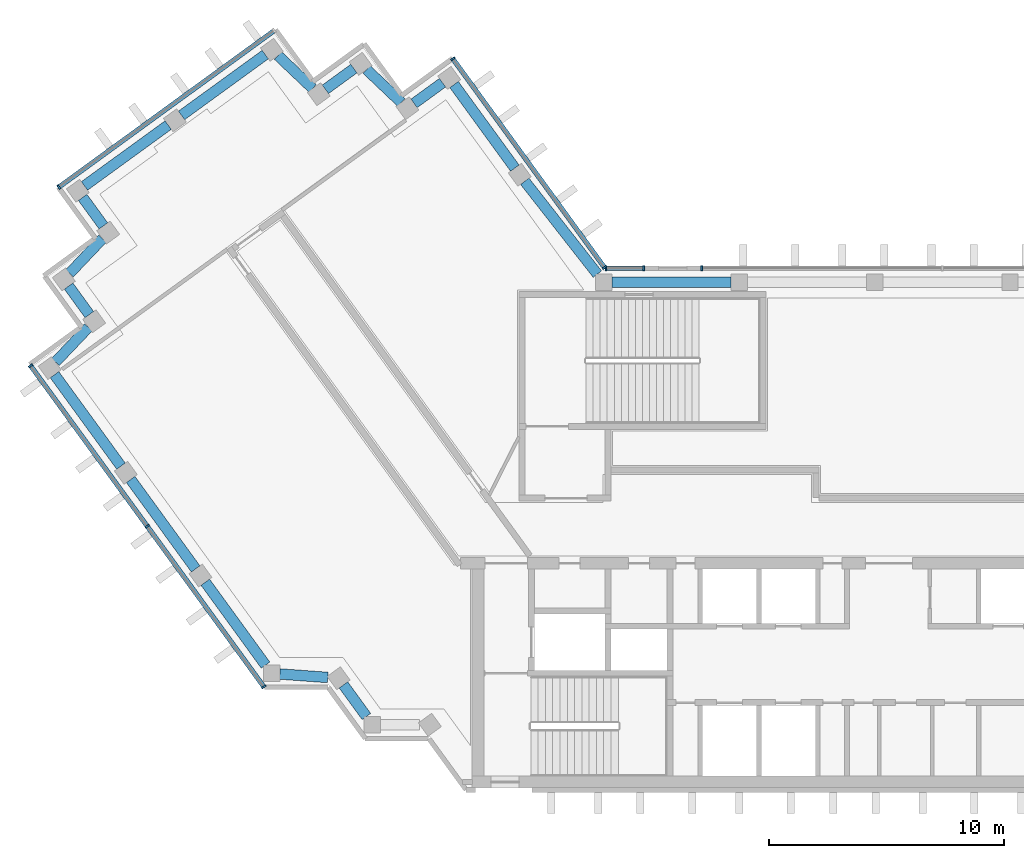
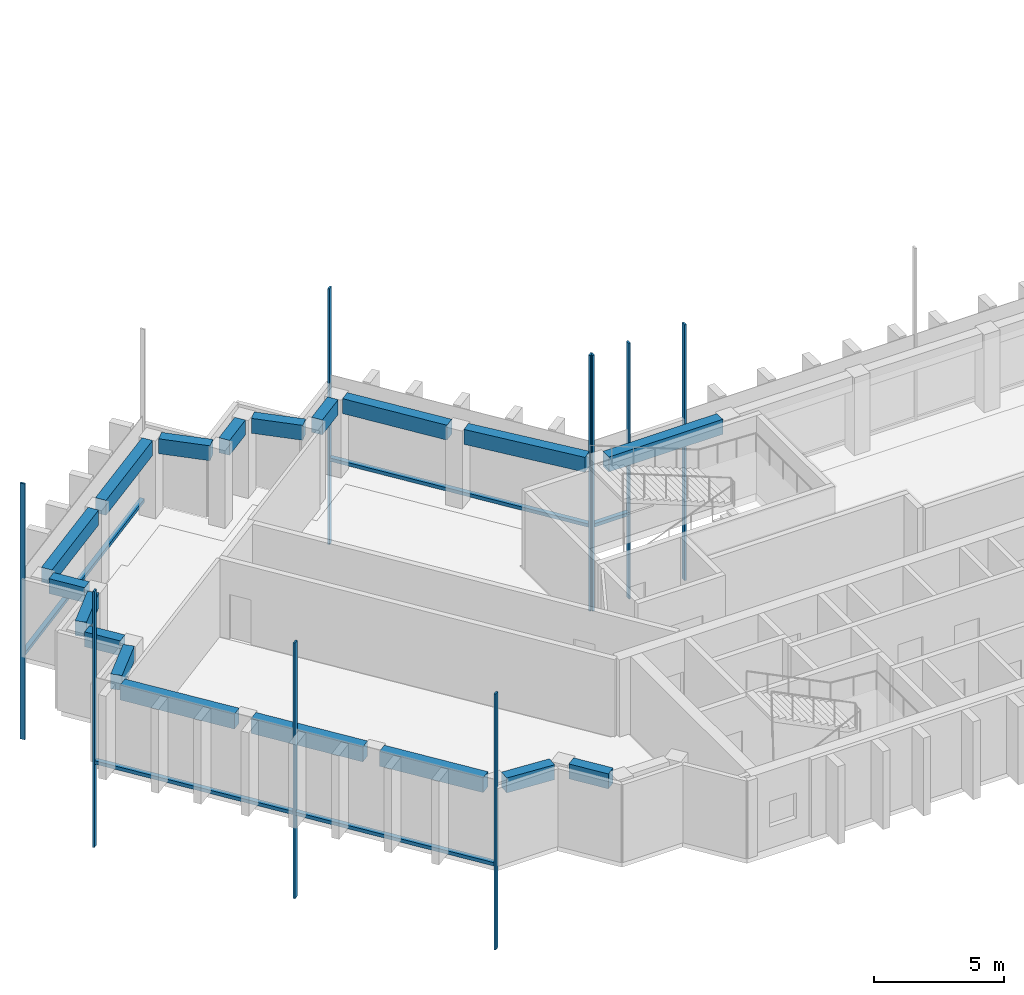
# One storey, part 2 of 14: 18 beams, 14 members, 5 elements without a shape of their own.
"""IFC4 building model written with IfcOpenShell, lengths in metres."""

from ifc_helpers import new_model, si_unit, direction, frame, origin, origin_2d, place, context, subcontext, project, spatial, rectangle, extrude, material, material_profile, profile_set, type_object, element, aggregate, save


model = new_model("IFC4")

# Units and contexts
model_context = context("Model", 3, precision=1e-05, world=origin(), true_north=direction((0.0, 1.0)))
body_context = subcontext(model_context, "Body", "Model", "MODEL_VIEW")
ifc_project = project(units=[si_unit("LENGTHUNIT", "METRE"), si_unit("AREAUNIT", "SQUARE_METRE"), si_unit("VOLUMEUNIT", "CUBIC_METRE"), si_unit("PLANEANGLEUNIT", "RADIAN"), si_unit("MASSUNIT", "GRAM", prefix="KILO")], contexts=[model_context])

# Site, building, storey
site_placement = place(None, origin())
site = spatial("IfcSite", under=ifc_project, at=site_placement, CompositionType="ELEMENT")
building_placement = place(site_placement, origin())
building = spatial("IfcBuilding", under=site, at=building_placement, Name="Quipu Civic Tower", CompositionType="ELEMENT")
storey_placement = place(building_placement, frame((0.0, 0.0, 311.0)))
storey = spatial("IfcBuildingStorey", under=building, at=storey_placement, Name="L72", CompositionType="ELEMENT", Elevation=311.0)

# Curtain wall, member
ifc_material_1 = material(Name="Insulated glass unit", Category="glass")
curtain_wall_type = type_object("IfcCurtainWallType", Name="Office curtain wall CW1", PredefinedType="NOTDEFINED", material=ifc_material_1)
curtain_wall_1_placement = place(storey_placement, origin())
curtain_wall_1 = element("IfcCurtainWall", 1, at=curtain_wall_1_placement, inside=storey, type_object=curtain_wall_type, Name="Office curtain wall CW1 L71 run 14", PredefinedType="NOTDEFINED")
ifc_material_2 = material(Name="Anodised aluminium", Category="aluminium")
ifc_material_profile_1 = material_profile(ifc_material_2, rectangle(XDim=0.199951171875, YDim=0.080078125, at=origin_2d()), Name="RECT 200x80")
ifc_profile_set_1 = profile_set([ifc_material_profile_1], Name="Anodised aluminium")
member_type_1 = type_object("IfcMemberType", Name="Mullion CW1", PredefinedType="MULLION", material=ifc_profile_set_1)
member_1_placement = place(storey_placement, frame((-10.223388671875, 11.10009765625, -3.919921875), z_axis=(0.0, 0.0, 1.0), x_axis=(0.0, -1.0, 0.0)))
member_1 = element("IfcMember", 2, at=member_1_placement, type_object=member_type_1, Name="CW1 mullion 3", PredefinedType="MULLION", context=body_context, shape_type="SweptSolid", body=[
    extrude(rectangle(XDim=0.199951171875, YDim=0.080078125, at=origin_2d()), origin(), (0.0, 0.0, 1.0), 12.0),
])
aggregate(curtain_wall_1, [member_1])

# Curtain wall, members
curtain_wall_2_placement = place(storey_placement, origin())
curtain_wall_2 = element("IfcCurtainWall", 3, at=curtain_wall_2_placement, inside=storey, type_object=curtain_wall_type, Name="Office curtain wall CW1 L71 run 16", PredefinedType="NOTDEFINED")
member_2_placement = place(storey_placement, frame((-12.695068359375, 11.10009765625, -3.919921875), z_axis=(0.0, 0.0, 1.0), x_axis=(0.0, -1.0, 0.0)))
member_2 = element("IfcMember", 4, at=member_2_placement, type_object=member_type_1, Name="CW1 mullion 1", PredefinedType="MULLION", context=body_context, shape_type="SweptSolid", body=[
    extrude(rectangle(XDim=0.199951171875, YDim=0.080078125, at=origin_2d()), origin(), (0.0, 0.0, 1.0), 12.0),
])
member_3_placement = place(storey_placement, frame((-14.30419921875, 11.10009765625, -3.919921875), z_axis=(0.0, 0.0, 1.0), x_axis=(0.0, -1.0, 0.0)))
member_3 = element("IfcMember", 5, at=member_3_placement, type_object=member_type_1, Name="CW1 mullion 2", PredefinedType="MULLION", context=body_context, shape_type="SweptSolid", body=[
    extrude(rectangle(XDim=0.199951171875, YDim=0.080078125, at=origin_2d()), origin(), (0.0, 0.0, 1.0), 12.0),
])

curtain_wall_3_placement = place(storey_placement, origin())
curtain_wall_3 = element("IfcCurtainWall", 6, at=curtain_wall_3_placement, inside=storey, type_object=curtain_wall_type, Name="Office curtain wall CW1 L71 run 17", PredefinedType="NOTDEFINED")
member_4_placement = place(storey_placement, frame((-14.36767578125, 11.13232421875, -3.919921875), z_axis=(0.0, 0.0, 1.0), x_axis=(-0.809015163947, -0.587787771652, 0.0)))
member_4 = element("IfcMember", 7, at=member_4_placement, type_object=member_type_1, Name="CW1 mullion 1", PredefinedType="MULLION", context=body_context, shape_type="SweptSolid", body=[
    extrude(rectangle(XDim=0.199951171875, YDim=0.080078125, at=origin_2d()), origin(), (0.0, 0.0, 1.0), 12.0),
])
member_5_placement = place(storey_placement, frame((-20.8125, 20.002685546875, -3.919921875), z_axis=(0.0, 0.0, 1.0), x_axis=(-0.809015163947, -0.587787771652, 0.0)))
member_5 = element("IfcMember", 8, at=member_5_placement, type_object=member_type_1, Name="CW1 mullion 2", PredefinedType="MULLION", context=body_context, shape_type="SweptSolid", body=[
    extrude(rectangle(XDim=0.199951171875, YDim=0.080078125, at=origin_2d()), origin(), (0.0, 0.0, 1.0), 12.0),
])

# Curtain wall, member
curtain_wall_4_placement = place(storey_placement, origin())
curtain_wall_4 = element("IfcCurtainWall", 9, at=curtain_wall_4_placement, inside=storey, type_object=curtain_wall_type, Name="Office curtain wall CW1 L71 run 22", PredefinedType="NOTDEFINED")
member_6_placement = place(storey_placement, frame((-37.569091796875, 14.552490234375, -3.919921875), z_axis=(0.0, 0.0, 1.0), x_axis=(0.587787753918, -0.809015176832, 0.0)))
member_6 = element("IfcMember", 10, at=member_6_placement, type_object=member_type_1, Name="CW1 mullion 2", PredefinedType="MULLION", context=body_context, shape_type="SweptSolid", body=[
    extrude(rectangle(XDim=0.199951171875, YDim=0.080078125, at=origin_2d()), origin(), (0.0, 0.0, 1.0), 12.0),
])

# Curtain wall, members
curtain_wall_5_placement = place(storey_placement, origin())
curtain_wall_5 = element("IfcCurtainWall", 11, at=curtain_wall_5_placement, inside=storey, type_object=curtain_wall_type, Name="Office curtain wall CW1 L71 run 27", PredefinedType="NOTDEFINED")
member_7_placement = place(storey_placement, frame((-38.772705078125, 6.953857421875, -3.919921875), z_axis=(0.0, 0.0, 1.0), x_axis=(0.809016278475, 0.587786237643, 0.0)))
member_7 = element("IfcMember", 12, at=member_7_placement, type_object=member_type_1, Name="CW1 mullion 1", PredefinedType="MULLION", context=body_context, shape_type="SweptSolid", body=[
    extrude(rectangle(XDim=0.199951171875, YDim=0.080078125, at=origin_2d()), origin(), (0.0, 0.0, 1.0), 12.0),
])
member_8_placement = place(storey_placement, frame((-33.81298828125, 0.12744140625, -3.919921875), z_axis=(0.0, 0.0, 1.0), x_axis=(0.809016278475, 0.587786237643, 0.0)))
member_8 = element("IfcMember", 13, at=member_8_placement, type_object=member_type_1, Name="CW1 mullion 2", PredefinedType="MULLION", context=body_context, shape_type="SweptSolid", body=[
    extrude(rectangle(XDim=0.199951171875, YDim=0.080078125, at=origin_2d()), origin(), (0.0, 0.0, 1.0), 12.0),
])
member_9_placement = place(storey_placement, frame((-28.853271484375, -6.698974609375, -3.919921875), z_axis=(0.0, 0.0, 1.0), x_axis=(0.809016278475, 0.587786237643, 0.0)))
member_9 = element("IfcMember", 14, at=member_9_placement, type_object=member_type_1, Name="CW1 mullion 3", PredefinedType="MULLION", context=body_context, shape_type="SweptSolid", body=[
    extrude(rectangle(XDim=0.199951171875, YDim=0.080078125, at=origin_2d()), origin(), (0.0, 0.0, 1.0), 12.0),
])

# Beams
ifc_material_3 = material(Name="Concrete C50/60", Category="concrete")
ifc_material_profile_2 = material_profile(ifc_material_3, rectangle(XDim=0.449951171875, YDim=0.699951171875, at=origin_2d()), Name="RC450x700")
ifc_profile_set_2 = profile_set([ifc_material_profile_2], Name="Concrete C50/60")
beam_type = type_object("IfcBeamType", Name="Spandrel beam RC 450x700 C50/60", PredefinedType="SPANDREL", material=ifc_profile_set_2)
beam_1_placement = place(storey_placement, frame((-18.179443359375, 15.358154296875, 3.300048828125), z_axis=(-0.588201428764, 0.808714460857, 0.0), x_axis=(-0.808714460857, -0.588201428764, 0.0)))
element("IfcBeam", 15, at=beam_1_placement, inside=storey, type_object=beam_type, Name="Spandrel beam L72 W-IN-01 to T-Wi.0-W22", PredefinedType="SPANDREL", context=body_context, shape_type="SweptSolid", body=[
    extrude(rectangle(XDim=0.449951171875, YDim=0.699951171875, at=origin_2d()), origin(), (0.0, 0.0, 1.0), 4.394287109375),
])
beam_2_placement = place(storey_placement, frame((-21.25341796875, 18.989501953125, 3.300048828125), z_axis=(-0.809461336076, -0.587173181776, 0.0), x_axis=(0.587173181776, -0.809461336076, 0.0)))
element("IfcBeam", 16, at=beam_2_placement, inside=storey, type_object=beam_type, Name="Spandrel beam L72 T-Wi.0-W22 to T-Wi.1-W22", PredefinedType="SPANDREL", context=body_context, shape_type="SweptSolid", body=[
    extrude(rectangle(XDim=0.449951171875, YDim=0.699951171875, at=origin_2d()), origin(), (0.0, 0.0, 1.0), 1.498046875),
])
beam_3_placement = place(storey_placement, frame((-23.00732421875, 18.1494140625, 3.300048828125), z_axis=(-0.72511931772, 0.6886232461, 0.0), x_axis=(-0.6886232461, -0.72511931772, 0.0)))
element("IfcBeam", 17, at=beam_3_placement, inside=storey, type_object=beam_type, Name="Spandrel beam L72 T-Wi.1-W22 to T-Wi.2-W22", PredefinedType="SPANDREL", context=body_context, shape_type="SweptSolid", body=[
    extrude(rectangle(XDim=0.449951171875, YDim=0.699951171875, at=origin_2d()), origin(), (0.0, 0.0, 1.0), 2.03369140625),
])
beam_4_placement = place(storey_placement, frame((-25.02294921875, 19.589111328125, 3.300048828125), z_axis=(-0.808644589435, -0.588297482553, 0.0), x_axis=(0.588297482553, -0.808644589435, 0.0)))
element("IfcBeam", 18, at=beam_4_placement, inside=storey, type_object=beam_type, Name="Spandrel beam L72 T-Wi.2-W22 to T-Wi.3-W22", PredefinedType="SPANDREL", context=body_context, shape_type="SweptSolid", body=[
    extrude(rectangle(XDim=0.449951171875, YDim=0.699951171875, at=origin_2d()), origin(), (0.0, 0.0, 1.0), 1.500244140625),
])
beam_5_placement = place(storey_placement, frame((-26.777099609375, 18.74560546875, 3.300048828125), z_axis=(-0.725359138958, 0.688370626574, 0.0), x_axis=(-0.688370626574, -0.725359138958, 0.0)))
element("IfcBeam", 19, at=beam_5_placement, inside=storey, type_object=beam_type, Name="Spandrel beam L72 T-Wi.3-W22 to T-Wi.4-W22", PredefinedType="SPANDREL", context=body_context, shape_type="SweptSolid", body=[
    extrude(rectangle(XDim=0.449951171875, YDim=0.699951171875, at=origin_2d()), origin(), (0.0, 0.0, 1.0), 2.032958984375),
])
beam_6_placement = place(storey_placement, frame((-28.793212890625, 20.184326171875, 3.300048828125), z_axis=(-0.809146152767, -0.587607439931, 0.0), x_axis=(0.587607439931, -0.809146152767, 0.0)))
element("IfcBeam", 20, at=beam_6_placement, inside=storey, type_object=beam_type, Name="Spandrel beam L72 T-Wi.4-W22 to TIP-W-01-W22", PredefinedType="SPANDREL", context=body_context, shape_type="SweptSolid", body=[
    extrude(rectangle(XDim=0.449951171875, YDim=0.699951171875, at=origin_2d()), origin(), (0.0, 0.0, 1.0), 4.400390625),
])
beam_7_placement = place(storey_placement, frame((-32.920166015625, 17.187255859375, 3.300048828125), z_axis=(-0.809117270763, -0.587647208921, 0.0), x_axis=(0.587647208921, -0.809117270763, 0.0)))
element("IfcBeam", 21, at=beam_7_placement, inside=storey, type_object=beam_type, Name="Spandrel beam L72 TIP-W-01-W22 to T-Wo.0-W22", PredefinedType="SPANDREL", context=body_context, shape_type="SweptSolid", body=[
    extrude(rectangle(XDim=0.449951171875, YDim=0.699951171875, at=origin_2d()), origin(), (0.0, 0.0, 1.0), 4.40185546875),
])
beam_8_placement = place(storey_placement, frame((-36.55908203125, 14.112060546875, 3.300048828125), z_axis=(0.588345920092, -0.808609348394, 0.0), x_axis=(0.808609348394, 0.588345920092, 0.0)))
element("IfcBeam", 22, at=beam_8_placement, inside=storey, type_object=beam_type, Name="Spandrel beam L72 T-Wo.0-W22 to T-Wo.1-W22", PredefinedType="SPANDREL", context=body_context, shape_type="SweptSolid", body=[
    extrude(rectangle(XDim=0.449951171875, YDim=0.699951171875, at=origin_2d()), origin(), (0.0, 0.0, 1.0), 1.499755859375),
])
beam_9_placement = place(storey_placement, frame((-35.7158203125, 12.358154296875, 3.300048828125), z_axis=(-0.688247466856, -0.725475998477, 0.0), x_axis=(0.725475998477, -0.688247466856, 0.0)))
element("IfcBeam", 23, at=beam_9_placement, inside=storey, type_object=beam_type, Name="Spandrel beam L72 T-Wo.1-W22 to T-Wo.2-W22", PredefinedType="SPANDREL", context=body_context, shape_type="SweptSolid", body=[
    extrude(rectangle(XDim=0.449951171875, YDim=0.699951171875, at=origin_2d()), origin(), (0.0, 0.0, 1.0), 2.032958984375),
])
beam_10_placement = place(storey_placement, frame((-37.154541015625, 10.341796875, 3.300048828125), z_axis=(0.587164895097, -0.809467347066, 0.0), x_axis=(0.809467347066, 0.587164895097, 0.0)))
element("IfcBeam", 24, at=beam_10_placement, inside=storey, type_object=beam_type, Name="Spandrel beam L72 T-Wo.2-W22 to T-Wo.3-W22", PredefinedType="SPANDREL", context=body_context, shape_type="SweptSolid", body=[
    extrude(rectangle(XDim=0.449951171875, YDim=0.699951171875, at=origin_2d()), origin(), (0.0, 0.0, 1.0), 1.500244140625),
])
beam_11_placement = place(storey_placement, frame((-36.3134765625, 8.586181640625, 3.300048828125), z_axis=(-0.689175330605, -0.724594620244, 0.0), x_axis=(0.724594620244, -0.689175330605, 0.0)))
element("IfcBeam", 25, at=beam_11_placement, inside=storey, type_object=beam_type, Name="Spandrel beam L72 T-Wo.3-W22 to T-Wo.4-W22", PredefinedType="SPANDREL", context=body_context, shape_type="SweptSolid", body=[
    extrude(rectangle(XDim=0.449951171875, YDim=0.699951171875, at=origin_2d()), origin(), (0.0, 0.0, 1.0), 2.033447265625),
])
beam_12_placement = place(storey_placement, frame((-37.754150390625, 6.57177734375, 3.300048828125), z_axis=(0.587905928359, -0.808929304328, 0.0), x_axis=(0.808929304328, 0.587905928359, 0.0)))
element("IfcBeam", 26, at=beam_12_placement, inside=storey, type_object=beam_type, Name="Spandrel beam L72 T-Wo.4-W22 to W-OUT-02", PredefinedType="SPANDREL", context=body_context, shape_type="SweptSolid", body=[
    extrude(rectangle(XDim=0.449951171875, YDim=0.699951171875, at=origin_2d()), origin(), (0.0, 0.0, 1.0), 4.80712890625),
])
beam_13_placement = place(storey_placement, frame((-34.5166015625, 2.116943359375, 3.300048828125), z_axis=(0.587788656305, -0.809014521204, 0.0), x_axis=(0.809014521204, 0.587788656305, 0.0)))
element("IfcBeam", 27, at=beam_13_placement, inside=storey, type_object=beam_type, Name="Spandrel beam L72 W-OUT-02 to W-OUT-01", PredefinedType="SPANDREL", context=body_context, shape_type="SweptSolid", body=[
    extrude(rectangle(XDim=0.449951171875, YDim=0.699951171875, at=origin_2d()), origin(), (0.0, 0.0, 1.0), 4.7001953125),
])
beam_14_placement = place(storey_placement, frame((-31.342529296875, -2.251953125, 3.300048828125), z_axis=(0.58777550284, -0.809024077677, 0.0), x_axis=(0.809024077677, 0.58777550284, 0.0)))
element("IfcBeam", 28, at=beam_14_placement, inside=storey, type_object=beam_type, Name="Spandrel beam L72 W-OUT-01 to J-Wo.0", PredefinedType="SPANDREL", context=body_context, shape_type="SweptSolid", body=[
    extrude(rectangle(XDim=0.449951171875, YDim=0.699951171875, at=origin_2d()), origin(), (0.0, 0.0, 1.0), 4.36083984375),
])
beam_15_placement = place(storey_placement, frame((-28.175048828125, -6.155517578125, 3.300048828125), z_axis=(0.99737333325, -0.072432272649, 0.0), x_axis=(0.072432272649, 0.99737333325, 0.0)))
element("IfcBeam", 29, at=beam_15_placement, inside=storey, type_object=beam_type, Name="Spandrel beam L72 J-Wo.0 to J-Wo.1", PredefinedType="SPANDREL", context=body_context, shape_type="SweptSolid", body=[
    extrude(rectangle(XDim=0.449951171875, YDim=0.699951171875, at=origin_2d()), origin(), (0.0, 0.0, 1.0), 2.04931640625),
])
beam_16_placement = place(storey_placement, frame((-25.468505859375, -6.6201171875, 3.300048828125), z_axis=(0.588407300614, -0.80856468423, 0.0), x_axis=(0.80856468423, 0.588407300614, 0.0)))
element("IfcBeam", 30, at=beam_16_placement, inside=storey, type_object=beam_type, Name="Spandrel beam L72 J-Wo.1 to J-Wo.2", PredefinedType="SPANDREL", context=body_context, shape_type="SweptSolid", body=[
    extrude(rectangle(XDim=0.449951171875, YDim=0.699951171875, at=origin_2d()), origin(), (0.0, 0.0, 1.0), 1.663330078125),
])
beam_17_placement = place(storey_placement, frame((-8.987060546875, 10.5, 3.300048828125), z_axis=(-1.0, 0.0, 0.0), x_axis=(0.0, -1.0, 0.0)))
element("IfcBeam", 31, at=beam_17_placement, inside=storey, type_object=beam_type, Name="Spandrel beam L72 FRONT-04 to J-Wi.0", PredefinedType="SPANDREL", context=body_context, shape_type="SweptSolid", body=[
    extrude(rectangle(XDim=0.449951171875, YDim=0.699951171875, at=origin_2d()), origin(), (0.0, 0.0, 1.0), 5.05810546875),
])
beam_18_placement = place(storey_placement, frame((-14.6689453125, 10.85009765625, 3.300048828125), z_axis=(-0.616106034519, 0.787663223865, 0.0), x_axis=(-0.787663223865, -0.616106034519, 0.0)))
element("IfcBeam", 32, at=beam_18_placement, inside=storey, type_object=beam_type, Name="Spandrel beam L72 J-Wi.0 to W-IN-01", PredefinedType="SPANDREL", context=body_context, shape_type="SweptSolid", body=[
    extrude(rectangle(XDim=0.449951171875, YDim=0.699951171875, at=origin_2d()), origin(), (0.0, 0.0, 1.0), 5.013427734375),
])

# Member
ifc_material_4 = material(Name="Anodised aluminium", Category="aluminium")
ifc_material_profile_3 = material_profile(ifc_material_4, rectangle(XDim=0.199951171875, YDim=0.159912109375, at=origin_2d()), Name="RECT 200x160")
ifc_profile_set_3 = profile_set([ifc_material_profile_3], Name="Anodised aluminium")
member_type_2 = type_object("IfcMemberType", Name="Transom CW1", PredefinedType="USERDEFINED", material=ifc_profile_set_3)
member_10_placement = place(storey_placement, frame((-12.735107421875, 11.10009765625, 0.080078125), z_axis=(-1.0, 0.0, 0.0), x_axis=(0.0, -1.0, 0.0)))
member_10 = element("IfcMember", 33, at=member_10_placement, type_object=member_type_2, Name="CW1 transom 1.2", ObjectType="TRANSOM", PredefinedType="USERDEFINED", context=body_context, shape_type="SweptSolid", body=[
    extrude(rectangle(XDim=0.199951171875, YDim=0.159912109375, at=origin_2d()), origin(), (0.0, 0.0, 1.0), 1.529052734375),
])

aggregate(curtain_wall_2, [member_2, member_3, member_10])

member_11_placement = place(storey_placement, frame((-14.39111328125, 11.164794921875, 0.080078125), z_axis=(-0.587796859727, 0.809008560953, 0.0), x_axis=(-0.809008560953, -0.587796859727, 0.0)))
member_11 = element("IfcMember", 34, at=member_11_placement, type_object=member_type_2, Name="CW1 transom 1.2", ObjectType="TRANSOM", PredefinedType="USERDEFINED", context=body_context, shape_type="SweptSolid", body=[
    extrude(rectangle(XDim=0.199951171875, YDim=0.159912109375, at=origin_2d()), origin(), (0.0, 0.0, 1.0), 10.88427734375),
])

aggregate(curtain_wall_3, [member_4, member_5, member_11])

member_12_placement = place(storey_placement, frame((-28.443359375, 21.1826171875, 0.080078125), z_axis=(-0.809022463805, -0.587777724194, 0.0), x_axis=(0.587777724194, -0.809022463805, 0.0)))
member_12 = element("IfcMember", 35, at=member_12_placement, type_object=member_type_2, Name="CW1 transom 1.2", ObjectType="TRANSOM", PredefinedType="USERDEFINED", context=body_context, shape_type="SweptSolid", body=[
    extrude(rectangle(XDim=0.199951171875, YDim=0.159912109375, at=origin_2d()), origin(), (0.0, 0.0, 1.0), 11.240234375),
])

aggregate(curtain_wall_4, [member_6, member_12])

member_13_placement = place(storey_placement, frame((-38.7490234375, 6.92138671875, 0.080078125), z_axis=(0.587779098815, -0.809021465102, 0.0), x_axis=(0.809021465102, 0.587779098815, 0.0)))
member_13 = element("IfcMember", 36, at=member_13_placement, type_object=member_type_2, Name="CW1 transom 1.2", ObjectType="TRANSOM", PredefinedType="USERDEFINED", context=body_context, shape_type="SweptSolid", body=[
    extrude(rectangle(XDim=0.199951171875, YDim=0.159912109375, at=origin_2d()), origin(), (0.0, 0.0, 1.0), 8.35791015625),
])

member_14_placement = place(storey_placement, frame((-33.78955078125, 0.094970703125, 0.080078125), z_axis=(0.587812107925, -0.808997481935, 0.0), x_axis=(0.808997481935, 0.587812107925, 0.0)))
member_14 = element("IfcMember", 37, at=member_14_placement, type_object=member_type_2, Name="CW1 transom 2.2", ObjectType="TRANSOM", PredefinedType="USERDEFINED", context=body_context, shape_type="SweptSolid", body=[
    extrude(rectangle(XDim=0.199951171875, YDim=0.159912109375, at=origin_2d()), origin(), (0.0, 0.0, 1.0), 8.35791015625),
])

aggregate(curtain_wall_5, [member_7, member_8, member_9, member_13, member_14])

save(model, "model.ifc")
